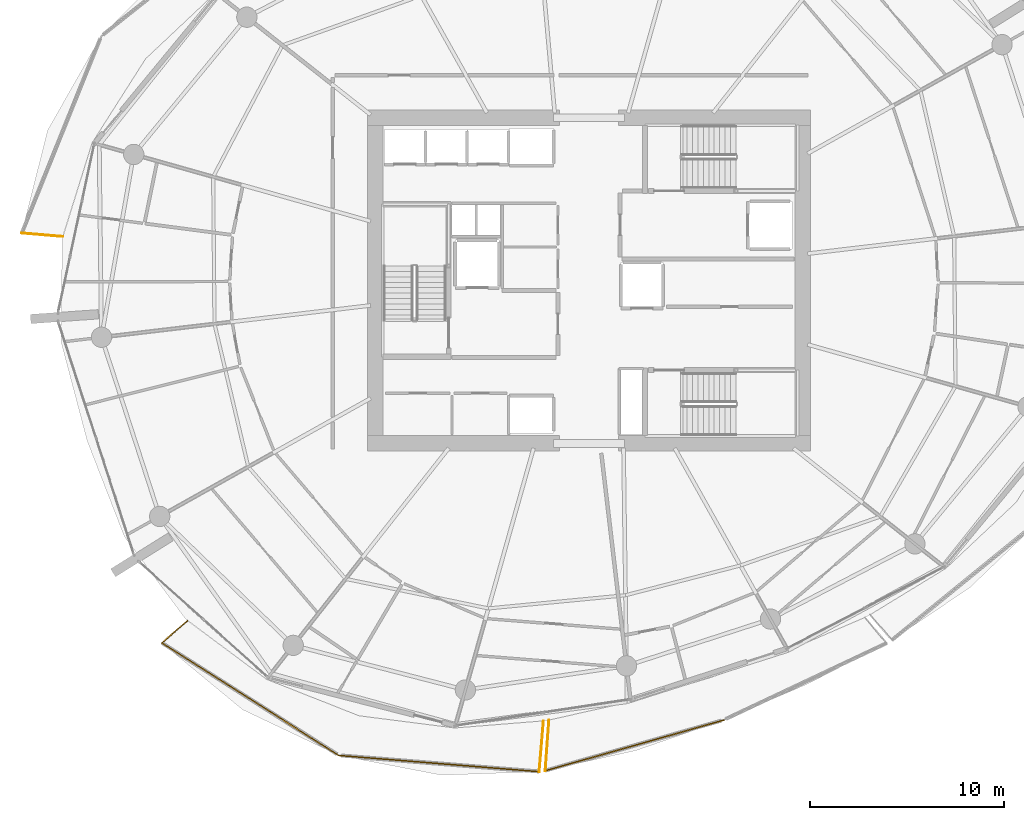
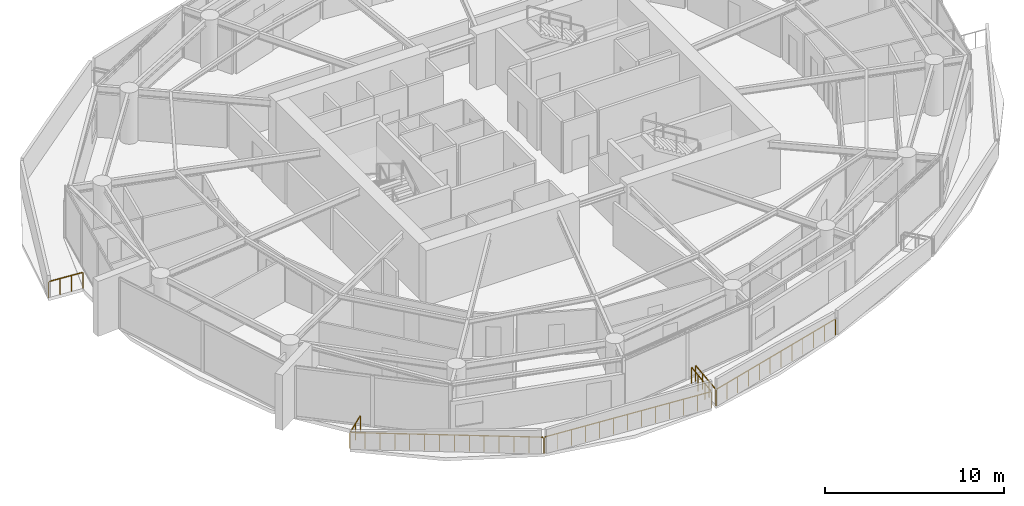
# One storey, part 16 of 20: 7 railings.
"""IFC4 building model written with IfcOpenShell, lengths in metres."""

from ifc_helpers import new_model, si_unit, direction, frame, origin, origin_2d, place, context, subcontext, project, spatial, rectangle, extrude, material, type_object, element, save


model = new_model("IFC4")

# Units and contexts
model_context = context("Model", 3, precision=1e-05, world=origin(), true_north=direction((0.0, 1.0)))
body_context = subcontext(model_context, "Body", "Model", "MODEL_VIEW")
ifc_project = project(units=[si_unit("LENGTHUNIT", "METRE"), si_unit("AREAUNIT", "SQUARE_METRE"), si_unit("VOLUMEUNIT", "CUBIC_METRE"), si_unit("PLANEANGLEUNIT", "RADIAN"), si_unit("MASSUNIT", "GRAM", prefix="KILO")], contexts=[model_context])

# Site, building, storey
site_placement = place(None, origin())
site = spatial("IfcSite", under=ifc_project, at=site_placement, CompositionType="ELEMENT")
building_placement = place(site_placement, origin())
building = spatial("IfcBuilding", under=site, at=building_placement, Name="Kazma Halo Residences", CompositionType="ELEMENT")
storey_placement = place(building_placement, frame((0.0, 0.0, 142.800048828125)))
storey = spatial("IfcBuildingStorey", under=building, at=storey_placement, Name="L35", CompositionType="ELEMENT", Elevation=142.800048828125)

# Railings
ifc_material = material(Name="Aluminium AW-6063 T6 Brushed Cap Rail", Category="aluminium")
railing_type = type_object("IfcRailingType", Name="RLG-BAL-CAP-1120", PredefinedType="BALUSTRADE", material=ifc_material)
railing_1_placement = place(storey_placement, frame((19.146484375, 44.4482421875, 0.0)))
element("IfcRailing", 1, at=railing_1_placement, inside=storey, type_object=railing_type, Name="L35 NW wave balcony guard 4", PredefinedType="BALUSTRADE", context=body_context, shape_type="SweptSolid", body=[
    extrude(rectangle(XDim=0.050048828125, YDim=0.050048828125, at=origin_2d()), frame((0.04248046875, -0.003662109375, 1.09521484375), z_axis=(0.99641798838, -0.084564723334, 0.0), x_axis=(0.084564723334, 0.99641798838, 0.0)), (0.0, 0.0, 1.0), 2.042724609375),
    extrude(rectangle(XDim=0.0400390625, YDim=0.0400390625, at=origin_2d()), origin(), (0.0, 0.0, 1.0), 1.05810546875),
    extrude(rectangle(XDim=0.0400390625, YDim=0.0400390625, at=origin_2d()), frame((0.706787109375, -0.06005859375, 0.0)), (0.0, 0.0, 1.0), 1.05810546875),
    extrude(rectangle(XDim=0.0400390625, YDim=0.0400390625, at=origin_2d()), frame((1.413330078125, -0.119873046875, 0.0)), (0.0, 0.0, 1.0), 1.05810546875),
    extrude(rectangle(XDim=0.0400390625, YDim=0.0400390625, at=origin_2d()), frame((2.1201171875, -0.179931640625, 0.0)), (0.0, 0.0, 1.0), 1.05810546875),
])
railing_2_placement = place(storey_placement, frame((27.705322265625, 24.451416015625, 0.0)))
element("IfcRailing", 2, at=railing_2_placement, inside=storey, type_object=railing_type, Name="L35 SW wave balcony guard 1", PredefinedType="BALUSTRADE", context=body_context, shape_type="SweptSolid", body=[
    extrude(rectangle(XDim=0.050048828125, YDim=0.050048828125, at=origin_2d()), frame((-0.0322265625, -0.02783203125, 1.09521484375), z_axis=(-0.756385467326, -0.654126153595, 0.0), x_axis=(0.654126153595, -0.756385467326, 0.0)), (0.0, 0.0, 1.0), 1.672119140625),
    extrude(rectangle(XDim=0.0400390625, YDim=0.0400390625, at=origin_2d()), origin(), (0.0, 0.0, 1.0), 1.05810546875),
    extrude(rectangle(XDim=0.0400390625, YDim=0.0400390625, at=origin_2d()), frame((-0.66455078125, -0.57470703125, 0.0)), (0.0, 0.0, 1.0), 1.05810546875),
    extrude(rectangle(XDim=0.0400390625, YDim=0.0400390625, at=origin_2d()), frame((-1.3291015625, -1.1494140625, 0.0)), (0.0, 0.0, 1.0), 1.05810546875),
])
railing_3_placement = place(storey_placement, frame((26.376220703125, 23.302001953125, 0.0)))
element("IfcRailing", 3, at=railing_3_placement, inside=storey, type_object=railing_type, Name="L35 SW wave balcony guard 2", PredefinedType="BALUSTRADE", context=body_context, shape_type="SweptSolid", body=[
    extrude(rectangle(XDim=0.050048828125, YDim=0.050048828125, at=origin_2d()), frame((0.035888671875, -0.022705078125, 1.09521484375), z_axis=(0.844056806548, -0.53625377138, 0.0), x_axis=(0.53625377138, 0.844056806548, 0.0)), (0.0, 0.0, 1.0), 10.74169921875),
    extrude(rectangle(XDim=0.0400390625, YDim=0.0400390625, at=origin_2d()), origin(), (0.0, 0.0, 1.0), 1.05810546875),
    extrude(rectangle(XDim=0.0400390625, YDim=0.0400390625, at=origin_2d()), frame((0.702880859375, -0.446533203125, 0.0)), (0.0, 0.0, 1.0), 1.05810546875),
    extrude(rectangle(XDim=0.0400390625, YDim=0.0400390625, at=origin_2d()), frame((1.406005859375, -0.893310546875, 0.0)), (0.0, 0.0, 1.0), 1.05810546875),
    extrude(rectangle(XDim=0.0400390625, YDim=0.0400390625, at=origin_2d()), frame((2.10888671875, -1.33984375, 0.0)), (0.0, 0.0, 1.0), 1.05810546875),
    extrude(rectangle(XDim=0.0400390625, YDim=0.0400390625, at=origin_2d()), frame((2.811767578125, -1.786376953125, 0.0)), (0.0, 0.0, 1.0), 1.05810546875),
    extrude(rectangle(XDim=0.0400390625, YDim=0.0400390625, at=origin_2d()), frame((3.514892578125, -2.233154296875, 0.0)), (0.0, 0.0, 1.0), 1.05810546875),
    extrude(rectangle(XDim=0.0400390625, YDim=0.0400390625, at=origin_2d()), frame((4.2177734375, -2.6796875, 0.0)), (0.0, 0.0, 1.0), 1.05810546875),
    extrude(rectangle(XDim=0.0400390625, YDim=0.0400390625, at=origin_2d()), frame((4.920654296875, -3.126220703125, 0.0)), (0.0, 0.0, 1.0), 1.05810546875),
    extrude(rectangle(XDim=0.0400390625, YDim=0.0400390625, at=origin_2d()), frame((5.62353515625, -3.57275390625, 0.0)), (0.0, 0.0, 1.0), 1.05810546875),
    extrude(rectangle(XDim=0.0400390625, YDim=0.0400390625, at=origin_2d()), frame((6.32666015625, -4.01953125, 0.0)), (0.0, 0.0, 1.0), 1.05810546875),
    extrude(rectangle(XDim=0.0400390625, YDim=0.0400390625, at=origin_2d()), frame((7.029541015625, -4.466064453125, 0.0)), (0.0, 0.0, 1.0), 1.05810546875),
    extrude(rectangle(XDim=0.0400390625, YDim=0.0400390625, at=origin_2d()), frame((7.732421875, -4.91259765625, 0.0)), (0.0, 0.0, 1.0), 1.05810546875),
    extrude(rectangle(XDim=0.0400390625, YDim=0.0400390625, at=origin_2d()), frame((8.435546875, -5.359375, 0.0)), (0.0, 0.0, 1.0), 1.05810546875),
    extrude(rectangle(XDim=0.0400390625, YDim=0.0400390625, at=origin_2d()), frame((9.138427734375, -5.805908203125, 0.0)), (0.0, 0.0, 1.0), 1.05810546875),
])
railing_4_placement = place(storey_placement, frame((35.5146484375, 17.49609375, 0.0)))
element("IfcRailing", 4, at=railing_4_placement, inside=storey, type_object=railing_type, Name="L35 SW wave balcony guard 3", PredefinedType="BALUSTRADE", context=body_context, shape_type="SweptSolid", body=[
    extrude(rectangle(XDim=0.050048828125, YDim=0.050048828125, at=origin_2d()), frame((0.04248046875, -0.00341796875, 1.09521484375), z_axis=(0.996744970525, -0.080619251626, 0.0), x_axis=(0.080619251626, 0.996744970525, 0.0)), (0.0, 0.0, 1.0), 10.283935546875),
    extrude(rectangle(XDim=0.0400390625, YDim=0.0400390625, at=origin_2d()), origin(), (0.0, 0.0, 1.0), 1.05810546875),
    extrude(rectangle(XDim=0.0400390625, YDim=0.0400390625, at=origin_2d()), frame((0.861328125, -0.069580078125, 0.0)), (0.0, 0.0, 1.0), 1.05810546875),
    extrude(rectangle(XDim=0.0400390625, YDim=0.0400390625, at=origin_2d()), frame((1.72265625, -0.139404296875, 0.0)), (0.0, 0.0, 1.0), 1.05810546875),
    extrude(rectangle(XDim=0.0400390625, YDim=0.0400390625, at=origin_2d()), frame((2.583740234375, -0.208984375, 0.0)), (0.0, 0.0, 1.0), 1.05810546875),
    extrude(rectangle(XDim=0.0400390625, YDim=0.0400390625, at=origin_2d()), frame((3.445068359375, -0.278564453125, 0.0)), (0.0, 0.0, 1.0), 1.05810546875),
    extrude(rectangle(XDim=0.0400390625, YDim=0.0400390625, at=origin_2d()), frame((4.306396484375, -0.348388671875, 0.0)), (0.0, 0.0, 1.0), 1.05810546875),
    extrude(rectangle(XDim=0.0400390625, YDim=0.0400390625, at=origin_2d()), frame((5.16748046875, -0.41796875, 0.0)), (0.0, 0.0, 1.0), 1.05810546875),
    extrude(rectangle(XDim=0.0400390625, YDim=0.0400390625, at=origin_2d()), frame((6.02880859375, -0.487548828125, 0.0)), (0.0, 0.0, 1.0), 1.05810546875),
    extrude(rectangle(XDim=0.0400390625, YDim=0.0400390625, at=origin_2d()), frame((6.89013671875, -0.557373046875, 0.0)), (0.0, 0.0, 1.0), 1.05810546875),
    extrude(rectangle(XDim=0.0400390625, YDim=0.0400390625, at=origin_2d()), frame((7.75146484375, -0.626953125, 0.0)), (0.0, 0.0, 1.0), 1.05810546875),
    extrude(rectangle(XDim=0.0400390625, YDim=0.0400390625, at=origin_2d()), frame((8.61279296875, -0.696533203125, 0.0)), (0.0, 0.0, 1.0), 1.05810546875),
    extrude(rectangle(XDim=0.0400390625, YDim=0.0400390625, at=origin_2d()), frame((9.473876953125, -0.766357421875, 0.0)), (0.0, 0.0, 1.0), 1.05810546875),
    extrude(rectangle(XDim=0.0400390625, YDim=0.0400390625, at=origin_2d()), frame((10.335205078125, -0.8359375, 0.0)), (0.0, 0.0, 1.0), 1.05810546875),
])
railing_5_placement = place(storey_placement, frame((45.849853515625, 16.66015625, 0.0)))
element("IfcRailing", 5, at=railing_5_placement, inside=storey, type_object=railing_type, Name="L35 SW wave balcony guard 4", PredefinedType="BALUSTRADE", context=body_context, shape_type="SweptSolid", body=[
    extrude(rectangle(XDim=0.050048828125, YDim=0.050048828125, at=origin_2d()), frame((0.003662109375, 0.04248046875, 1.09521484375), z_axis=(0.084513405862, 0.996422342298, 0.0), x_axis=(-0.996422342298, 0.084513405862, 0.0)), (0.0, 0.0, 1.0), 2.543701171875),
    extrude(rectangle(XDim=0.0400390625, YDim=0.0400390625, at=origin_2d()), origin(), (0.0, 0.0, 1.0), 1.05810546875),
    extrude(rectangle(XDim=0.0400390625, YDim=0.0400390625, at=origin_2d()), frame((0.073974609375, 0.873046875, 0.0)), (0.0, 0.0, 1.0), 1.05810546875),
    extrude(rectangle(XDim=0.0400390625, YDim=0.0400390625, at=origin_2d()), frame((0.148193359375, 1.746337890625, 0.0)), (0.0, 0.0, 1.0), 1.05810546875),
    extrude(rectangle(XDim=0.0400390625, YDim=0.0400390625, at=origin_2d()), frame((0.22216796875, 2.619384765625, 0.0)), (0.0, 0.0, 1.0), 1.05810546875),
])
railing_6_placement = place(storey_placement, frame((46.3544921875, 19.32177734375, 0.0)))
element("IfcRailing", 6, at=railing_6_placement, inside=storey, type_object=railing_type, Name="L35 SSE wave balcony guard 1", PredefinedType="BALUSTRADE", context=body_context, shape_type="SweptSolid", body=[
    extrude(rectangle(XDim=0.050048828125, YDim=0.050048828125, at=origin_2d()), frame((-0.003173828125, -0.04248046875, 1.09521484375), z_axis=(-0.072377534265, -0.997377307008, 0.0), x_axis=(0.997377307008, -0.072377534265, 0.0)), (0.0, 0.0, 1.0), 2.539306640625),
    extrude(rectangle(XDim=0.0400390625, YDim=0.0400390625, at=origin_2d()), origin(), (0.0, 0.0, 1.0), 1.05810546875),
    extrude(rectangle(XDim=0.0400390625, YDim=0.0400390625, at=origin_2d()), frame((-0.063232421875, -0.87255859375, 0.0)), (0.0, 0.0, 1.0), 1.05810546875),
    extrude(rectangle(XDim=0.0400390625, YDim=0.0400390625, at=origin_2d()), frame((-0.126708984375, -1.744873046875, 0.0)), (0.0, 0.0, 1.0), 1.05810546875),
    extrude(rectangle(XDim=0.0400390625, YDim=0.0400390625, at=origin_2d()), frame((-0.18994140625, -2.617431640625, 0.0)), (0.0, 0.0, 1.0), 1.05810546875),
])
railing_7_placement = place(storey_placement, frame((46.16455078125, 16.704345703125, 0.0)))
element("IfcRailing", 7, at=railing_7_placement, inside=storey, type_object=railing_type, Name="L35 SSE wave balcony guard 2", PredefinedType="BALUSTRADE", context=body_context, shape_type="SweptSolid", body=[
    extrude(rectangle(XDim=0.050048828125, YDim=0.050048828125, at=origin_2d()), frame((0.041015625, 0.01171875, 1.09521484375), z_axis=(0.961898536708, 0.273406666119, 0.0), x_axis=(-0.273406666119, 0.961898536708, 0.0)), (0.0, 0.0, 1.0), 9.48388671875),
    extrude(rectangle(XDim=0.0400390625, YDim=0.0400390625, at=origin_2d()), origin(), (0.0, 0.0, 1.0), 1.05810546875),
    extrude(rectangle(XDim=0.0400390625, YDim=0.0400390625, at=origin_2d()), frame((0.836669921875, 0.23779296875, 0.0)), (0.0, 0.0, 1.0), 1.05810546875),
    extrude(rectangle(XDim=0.0400390625, YDim=0.0400390625, at=origin_2d()), frame((1.673583984375, 0.4755859375, 0.0)), (0.0, 0.0, 1.0), 1.05810546875),
    extrude(rectangle(XDim=0.0400390625, YDim=0.0400390625, at=origin_2d()), frame((2.51025390625, 0.713623046875, 0.0)), (0.0, 0.0, 1.0), 1.05810546875),
    extrude(rectangle(XDim=0.0400390625, YDim=0.0400390625, at=origin_2d()), frame((3.346923828125, 0.951416015625, 0.0)), (0.0, 0.0, 1.0), 1.05810546875),
    extrude(rectangle(XDim=0.0400390625, YDim=0.0400390625, at=origin_2d()), frame((4.183837890625, 1.189208984375, 0.0)), (0.0, 0.0, 1.0), 1.05810546875),
    extrude(rectangle(XDim=0.0400390625, YDim=0.0400390625, at=origin_2d()), frame((5.0205078125, 1.427001953125, 0.0)), (0.0, 0.0, 1.0), 1.05810546875),
    extrude(rectangle(XDim=0.0400390625, YDim=0.0400390625, at=origin_2d()), frame((5.857421875, 1.664794921875, 0.0)), (0.0, 0.0, 1.0), 1.05810546875),
    extrude(rectangle(XDim=0.0400390625, YDim=0.0400390625, at=origin_2d()), frame((6.694091796875, 1.902587890625, 0.0)), (0.0, 0.0, 1.0), 1.05810546875),
    extrude(rectangle(XDim=0.0400390625, YDim=0.0400390625, at=origin_2d()), frame((7.53076171875, 2.140625, 0.0)), (0.0, 0.0, 1.0), 1.05810546875),
    extrude(rectangle(XDim=0.0400390625, YDim=0.0400390625, at=origin_2d()), frame((8.36767578125, 2.37841796875, 0.0)), (0.0, 0.0, 1.0), 1.05810546875),
    extrude(rectangle(XDim=0.0400390625, YDim=0.0400390625, at=origin_2d()), frame((9.204345703125, 2.6162109375, 0.0)), (0.0, 0.0, 1.0), 1.05810546875),
])

save(model, "model.ifc")
